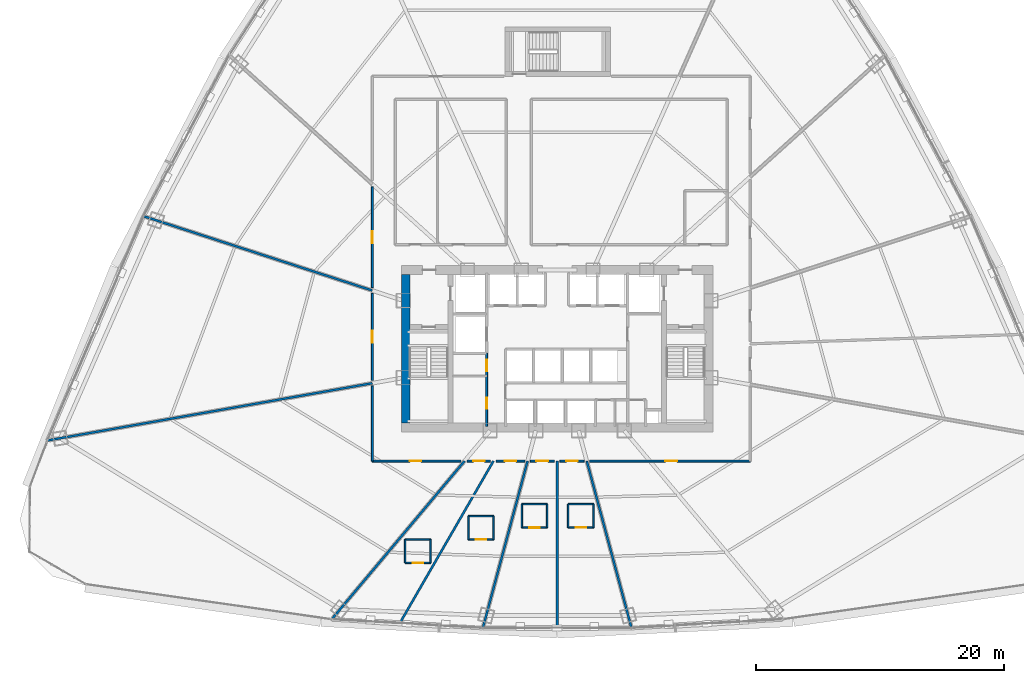
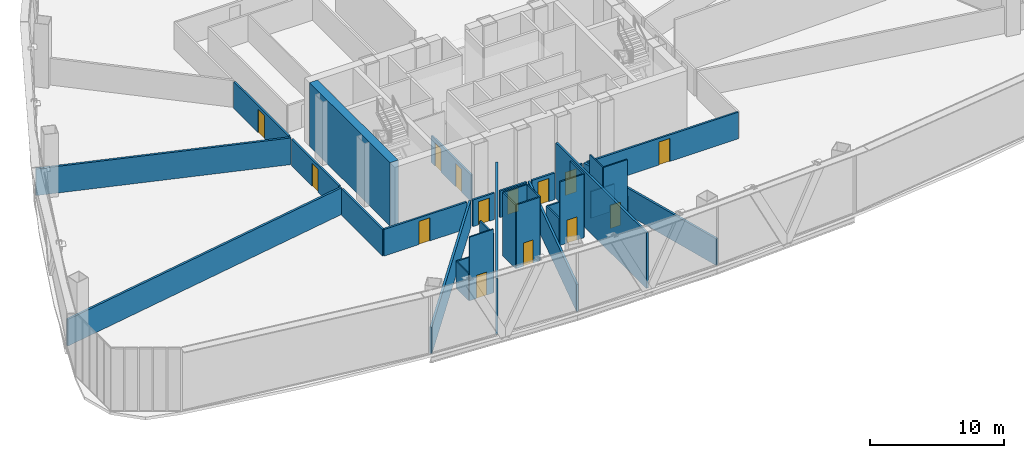
# One storey, part 33 of 41: 34 walls, 14 doors, 14 openings.
"""IFC4 building model written with IfcOpenShell, lengths in metres."""

import ifcopenshell
import ifcopenshell.guid

model = None  # the IFC model being written
_history = None  # IfcOwnerHistory: only IFC2X3 demands one
_inside = {}  # id of a spatial element -> (the spatial element, [elements in it])
_under = {}  # id of a project, library or spatial element -> (it, [spatial elements below it])
_declared = {}  # id of a project -> (the project, [libraries it declares])
_typed = {}  # id of a type object -> (the type object, [elements of that type])
_made_of = {}  # id of a material, layer set ... -> (it, [elements and type objects made of it])


def new_model(schema):
    """Start an empty IFC model of exactly this schema.

    Asked for "IFC4X3", IfcOpenShell would pick the latest addendum, in which some entities
    have other attributes; the version numbers below select the first issue.
    IFC2X3 requires an IfcOwnerHistory on every rooted entity: one is made here for all.
    """
    global model, _history
    if schema == "IFC4X3":
        model = ifcopenshell.file(schema_version=(4, 3, 0, 0))
    else:
        model = ifcopenshell.file(schema=schema)
    _inside.clear()
    _under.clear()
    _declared.clear()
    _typed.clear()
    _made_of.clear()
    _history = None
    if model.schema == "IFC2X3":
        org = make("IfcOrganization", Name="unknown")
        user = make(
            "IfcPersonAndOrganization",
            ThePerson=make("IfcPerson", FamilyName="unknown"),
            TheOrganization=org,
        )
        app = make(
            "IfcApplication",
            ApplicationDeveloper=org,
            Version="unknown",
            ApplicationFullName="unknown",
            ApplicationIdentifier="unknown",
        )
        _history = make(
            "IfcOwnerHistory",
            OwningUser=user,
            OwningApplication=app,
            ChangeAction="ADDED",
            CreationDate=0,
        )
    return model


def make(cls, **values):
    """One entity of the class cls with the attributes given. An attribute that is None is left unset."""
    return model.create_entity(
        cls, **{name: value for name, value in values.items() if value is not None}
    )


def rooted(cls, **values):
    """An entity with a GlobalId (a new one), such as an element, a storey or a relation."""
    return make(cls, GlobalId=ifcopenshell.guid.new(), OwnerHistory=_history, **values)


def si_unit(unit_type, name, prefix=None):
    """IfcSIUnit, for example si_unit("LENGTHUNIT", "METRE", prefix="MILLI")."""
    return make("IfcSIUnit", UnitType=unit_type, Prefix=prefix, Name=name)


def assignment(units):
    """IfcUnitAssignment: the units of a project."""
    return None if units is None else make("IfcUnitAssignment", Units=units)


def point(xyz):
    """IfcCartesianPoint."""
    return None if xyz is None else make("IfcCartesianPoint", Coordinates=xyz)


def direction(xyz):
    """IfcDirection."""
    return None if xyz is None else make("IfcDirection", DirectionRatios=xyz)


def frame(location, z_axis=None, x_axis=None):
    """IfcAxis2Placement3D, a coordinate frame: its origin and axes. An axis left out is left unset."""
    return make(
        "IfcAxis2Placement3D",
        Location=point(location),
        Axis=direction(z_axis),
        RefDirection=direction(x_axis),
    )


def frame_2d(location, x_axis=None):
    """IfcAxis2Placement2D, a coordinate frame in the plane: its origin and x axis."""
    return make(
        "IfcAxis2Placement2D", Location=point(location), RefDirection=direction(x_axis)
    )


def origin():
    """The frame at (0, 0, 0) with its axes left unset."""
    return frame((0.0, 0.0, 0.0))


def origin_with_axes():
    """The frame at (0, 0, 0) with the z axis (0, 0, 1) and the x axis (1, 0, 0) written out."""
    return frame((0.0, 0.0, 0.0), z_axis=(0.0, 0.0, 1.0), x_axis=(1.0, 0.0, 0.0))


def place(relative_to, where):
    """IfcLocalPlacement: puts the frame where relative to a parent placement (None: the world)."""
    return make(
        "IfcLocalPlacement", PlacementRelTo=relative_to, RelativePlacement=where
    )


def context(
    kind, dimensions, precision=None, world=None, true_north=None, identifier=None
):
    """IfcGeometricRepresentationContext, for example the 3D "Model" context."""
    return make(
        "IfcGeometricRepresentationContext",
        ContextIdentifier=identifier,
        ContextType=kind,
        CoordinateSpaceDimension=dimensions,
        Precision=precision,
        WorldCoordinateSystem=world,
        TrueNorth=true_north,
    )


def subcontext(parent, identifier, kind, view, scale=None):
    """IfcGeometricRepresentationSubContext, for example "Body" below "Model"."""
    return make(
        "IfcGeometricRepresentationSubContext",
        ContextIdentifier=identifier,
        ContextType=kind,
        ParentContext=parent,
        TargetScale=scale,
        TargetView=view,
    )


def project(units=None, contexts=None):
    """IfcProject with its units and contexts."""
    return rooted(
        "IfcProject",
        Name="project",
        RepresentationContexts=contexts,
        UnitsInContext=assignment(units),
    )


def spatial(cls, under=None, at=None, **own):
    """A site, building, storey or space (cls), placed at a placement, below another one or the project."""
    s = rooted(cls, ObjectPlacement=at, **own)
    if under is not None:
        _under.setdefault(under.id(), (under, []))[1].append(s)
    return s


def profile(cls, at=None, kind="AREA", **sizes):
    """A parametric profile (cls). Its sizes go by their IFC names, for example OverallWidth=200.0."""
    return make(cls, ProfileType=kind, Position=at, **sizes)


def rectangle(**sizes):
    """IfcRectangleProfileDef."""
    return profile("IfcRectangleProfileDef", **sizes)


def extrude(swept, where, along, depth):
    """IfcExtrudedAreaSolid: the profile swept, set in the frame where, extruded along a direction by depth."""
    return make(
        "IfcExtrudedAreaSolid",
        SweptArea=swept,
        Position=where,
        ExtrudedDirection=direction(along),
        Depth=depth,
    )


def shape(context_of_items, identifier, shape_type, items):
    """IfcShapeRepresentation: the items that make up one representation, for example the "Body"."""
    return make(
        "IfcShapeRepresentation",
        ContextOfItems=context_of_items,
        RepresentationIdentifier=identifier,
        RepresentationType=shape_type,
        Items=items,
    )


def source(mapping_origin, context_of_items, identifier, shape_type, items):
    """IfcRepresentationMap: a shape defined once, which mapped items show again and again."""
    return make(
        "IfcRepresentationMap",
        MappingOrigin=mapping_origin,
        MappedRepresentation=shape(context_of_items, identifier, shape_type, items),
    )


def transform(
    local_origin,
    x_axis=None,
    y_axis=None,
    z_axis=None,
    scale=None,
    scale2=None,
    scale3=None,
    uniform=True,
):
    """IfcCartesianTransformationOperator3D, or its non-uniform kind. x_axis, y_axis, z_axis: its Axis1, 2, 3."""
    if uniform:
        return make(
            "IfcCartesianTransformationOperator3D",
            Axis1=direction(x_axis),
            Axis2=direction(y_axis),
            LocalOrigin=point(local_origin),
            Scale=scale,
            Axis3=direction(z_axis),
        )
    return make(
        "IfcCartesianTransformationOperator3DnonUniform",
        Axis1=direction(x_axis),
        Axis2=direction(y_axis),
        LocalOrigin=point(local_origin),
        Scale=scale,
        Axis3=direction(z_axis),
        Scale2=scale2,
        Scale3=scale3,
    )


def mapped(mapping_source, mapping_target):
    """IfcMappedItem: shows the shape of a source again, moved by a transform."""
    return make(
        "IfcMappedItem", MappingSource=mapping_source, MappingTarget=mapping_target
    )


def material(Name=None, Category=None):
    """IfcMaterial."""
    return make("IfcMaterial", Name=Name, Category=Category)


def layer(
    of_material, thickness, ventilated=None, Name=None, Category=None, Priority=None
):
    """IfcMaterialLayer: one layer of a wall or slab, of a material (None: an air gap)."""
    return make(
        "IfcMaterialLayer",
        Material=of_material,
        LayerThickness=thickness,
        IsVentilated=ventilated,
        Name=Name,
        Category=Category,
        Priority=Priority,
    )


def layer_set(layers, Name=None):
    """IfcMaterialLayerSet."""
    return make("IfcMaterialLayerSet", MaterialLayers=layers, LayerSetName=Name)


def made_of(thing, what):
    """Note that an element or type object is made of a material, layer set ...; save() writes the relation."""
    if what is not None:
        _made_of.setdefault(what.id(), (what, []))[1].append(thing)
    return thing


def type_object(cls, material=None, **own):
    """A type object (cls), such as IfcWallType, which elements share."""
    return made_of(rooted(cls, **own), material)


def element(
    cls,
    number,
    at=None,
    inside=None,
    cuts=None,
    type_object=None,
    material=None,
    context=None,
    identifier="Body",
    shape_type=None,
    held_by="IfcProductDefinitionShape",
    body=None,
    shapes=None,
    **own,
):
    """One element of the class cls, such as IfcWall. Its Tag is "e" and its number.

    at: its placement. inside: the storey or other place that contains it. cuts: it is an
    opening in that element (IfcRelVoidsElement). A single representation is given by context,
    identifier, shape_type and body (its items); several are given by shapes. held_by: the class
    of the entity that holds the representations. save() writes the other relations.
    """
    e = rooted(cls, Tag="e%d" % number, ObjectPlacement=at, **own)
    if body is not None:
        shapes = [shape(context, identifier, shape_type, body)]
    if shapes is not None:
        e.Representation = make(held_by, Representations=shapes)
    if inside is not None:
        _inside.setdefault(inside.id(), (inside, []))[1].append(e)
    if cuts is not None:
        rooted(
            "IfcRelVoidsElement", RelatingBuildingElement=cuts, RelatedOpeningElement=e
        )
    if type_object is not None:
        _typed.setdefault(type_object.id(), (type_object, []))[1].append(e)
    return made_of(e, material)


def fill(opening, filler):
    """IfcRelFillsElement: the door or window that sits in an opening."""
    return rooted(
        "IfcRelFillsElement",
        RelatingOpeningElement=opening,
        RelatedBuildingElement=filler,
    )


def aggregate(whole, parts):
    """IfcRelAggregates: a whole, such as a stair, and the parts it consists of."""
    return rooted("IfcRelAggregates", RelatingObject=whole, RelatedObjects=parts)


def save(model, path):
    """Write the relations noted so far, then the file.

    IfcRelAggregates (storeys below a building ...), IfcRelContainedInSpatialStructure (elements
    in a storey), IfcRelDefinesByType, IfcRelAssociatesMaterial and IfcRelDeclares: one each for
    every whole, place, type object, material and project.
    """
    for whole, parts in _under.values():
        aggregate(whole, parts)
    for where, things in _inside.values():
        rooted(
            "IfcRelContainedInSpatialStructure",
            RelatedElements=things,
            RelatingStructure=where,
        )
    for kind, things in _typed.values():
        rooted("IfcRelDefinesByType", RelatedObjects=things, RelatingType=kind)
    for what, things in _made_of.values():
        rooted("IfcRelAssociatesMaterial", RelatedObjects=things, RelatingMaterial=what)
    for by, libraries in _declared.values():
        rooted("IfcRelDeclares", RelatingContext=by, RelatedDefinitions=libraries)
    model.write(path)


model = new_model("IFC4")

# Units and contexts
model_context = context("Model", 3, precision=1e-05, world=origin(), true_north=direction((0.0, 1.0)))
body_context = subcontext(model_context, "Body", "Model", "MODEL_VIEW")
ifc_project = project(units=[si_unit("LENGTHUNIT", "METRE"), si_unit("AREAUNIT", "SQUARE_METRE"), si_unit("VOLUMEUNIT", "CUBIC_METRE"), si_unit("PLANEANGLEUNIT", "RADIAN"), si_unit("MASSUNIT", "GRAM", prefix="KILO"), si_unit("THERMODYNAMICTEMPERATUREUNIT", "KELVIN"), si_unit("POWERUNIT", "WATT")], contexts=[model_context])

# Site, building, storey
site_placement = place(None, origin())
site = spatial("IfcSite", under=ifc_project, at=site_placement, CompositionType="ELEMENT")
building_placement = place(site_placement, origin())
building = spatial("IfcBuilding", under=site, at=building_placement, Name="Yunzhuo Pagoda Commons", CompositionType="ELEMENT")
storey_placement = place(building_placement, frame((0.0, 0.0, 70.330078125)))
storey = spatial("IfcBuildingStorey", under=building, at=storey_placement, Name="L18", CompositionType="ELEMENT", Elevation=70.330078125)

# Wall
ifc_material_1 = material(Name="Concrete C60", Category="concrete")
ifc_layer_1 = layer(ifc_material_1, 0.699951171875)
ifc_layer_set_1 = layer_set([ifc_layer_1], Name="Concrete C60")
wall_type_1 = type_object("IfcWallType", Name="W-C01 Lower Core Shear Wall 700", PredefinedType="SHEAR", material=ifc_layer_set_1)
wall_1_placement = place(storey_placement, frame((35.800048828125, 27.85009765625, 0.0), z_axis=(0.0, 0.0, 1.0), x_axis=(0.0, 1.0, 0.0)))
element("IfcWall", 1, at=wall_1_placement, inside=storey, type_object=wall_type_1, Name="L18 core shear wall W", PredefinedType="SHEAR", context=body_context, shape_type="SweptSolid", body=[
    extrude(rectangle(XDim=12.0, YDim=0.699951171875, at=frame_2d((6.0, 0.0))), origin(), (0.0, 0.0, 1.0), 5.77001953125),
])

# Wall, openings, doors
ifc_material_2 = material(Name="Gypsum plasterboard on acoustic stud")
ifc_layer_2 = layer(ifc_material_2, 0.159912109375)
ifc_layer_set_2 = layer_set([ifc_layer_2], Name="Gypsum plasterboard on acoustic stud")
wall_type_2 = type_object("IfcWallType", Name="W-COR1 Tower Rated Corridor Wall 160", PredefinedType="PARTITIONING", material=ifc_layer_set_2)
wall_2_placement = place(storey_placement, frame((42.320068359375, 27.60009765625, 0.0), z_axis=(0.0, 0.0, 1.0), x_axis=(0.0, 1.0, 0.0)))
wall_2 = element("IfcWall", 2, at=wall_2_placement, inside=storey, type_object=wall_type_2, Name="L18 interior wall IW-L18-CSWE", PredefinedType="PARTITIONING", context=body_context, shape_type="SweptSolid", body=[
    extrude(rectangle(XDim=5.89990234375, YDim=0.159912109375, at=frame_2d((2.949951171875, 0.0))), origin(), (0.0, 0.0, 1.0), 2.419921875),
])
opening_1_placement = place(wall_2_placement, frame((1.39990234375, 0.0, 0.0)))
opening_1 = element("IfcOpeningElement", 3, at=opening_1_placement, cuts=wall_2, Name="Opening D-03", PredefinedType="OPENING", context=body_context, shape_type="SweptSolid", body=[
    extrude(rectangle(XDim=0.89990234375, YDim=2.10009765625, at=frame_2d((0.449951171875, 1.050048828125))), frame((0.0, 0.08984375, 0.0), z_axis=(0.0, -1.0, 0.0), x_axis=(1.0, 0.0, 0.0)), (0.0, 0.0, 1.0), 0.179931640625),
])
opening_2_placement = place(wall_2_placement, frame((4.449951171875, 0.0, 0.0)))
opening_2 = element("IfcOpeningElement", 4, at=opening_2_placement, cuts=wall_2, Name="Opening D-03", PredefinedType="OPENING", context=body_context, shape_type="SweptSolid", body=[
    extrude(rectangle(XDim=0.89990234375, YDim=2.10009765625, at=frame_2d((0.449951171875, 1.050048828125))), frame((0.0, 0.08984375, 0.0), z_axis=(0.0, -1.0, 0.0), x_axis=(1.0, 0.0, 0.0)), (0.0, 0.0, 1.0), 0.179931640625),
])
ifc_material_3 = material(Name="Galvanized fire-resisting metal leaf")
door_type_1 = type_object("IfcDoorType", Name="D-03 Core Service Fire Door 900x2100", OperationType="NOTDEFINED", PredefinedType="DOOR", material=ifc_material_3)
shared_shape_1 = source(origin(), body_context, "Body", "SweptSolid", [
    extrude(rectangle(XDim=0.89990234375, YDim=2.10009765625, at=frame_2d((0.449951171875, 1.050048828125))), frame((0.0, 0.02490234375, 0.0), z_axis=(0.0, -1.0, 0.0), x_axis=(1.0, 0.0, 0.0)), (0.0, 0.0, 1.0), 0.050048828125),
])
door_1_placement = place(opening_1_placement, origin_with_axes())
door_1 = element("IfcDoor", 5, at=door_1_placement, inside=storey, type_object=door_type_1, Name="L18 service store door", OperationType="SINGLE_SWING_LEFT", OverallHeight=2.10009765625, OverallWidth=0.89990234375, PredefinedType="DOOR", context=body_context, shape_type="MappedRepresentation", body=[
    mapped(shared_shape_1, transform((0.0, 0.0, 0.0), scale=1.0)),
])
fill(opening_1, door_1)
door_2_placement = place(opening_2_placement, origin_with_axes())
door_2 = element("IfcDoor", 6, at=door_2_placement, inside=storey, type_object=door_type_1, Name="L18 switch closet door", OperationType="SINGLE_SWING_RIGHT", OverallHeight=2.10009765625, OverallWidth=0.89990234375, PredefinedType="DOOR", context=body_context, shape_type="MappedRepresentation", body=[
    mapped(shared_shape_1, transform((0.0, 0.0, 0.0), scale=1.0)),
])
fill(opening_2, door_2)

# Wall
wall_3_placement = place(storey_placement, frame((33.10009765625, 24.800048828125, 0.0), z_axis=(0.0, 0.0, 1.0), x_axis=(0.0, 1.0, 0.0)))
element("IfcWall", 7, at=wall_3_placement, inside=storey, type_object=wall_type_2, Name="L18 interior wall IW-L18-CWL01", PredefinedType="PARTITIONING", context=body_context, shape_type="SweptSolid", body=[
    extrude(rectangle(XDim=6.04931640625, YDim=0.159912109375, at=frame_2d((3.024658203125, 0.0))), origin(), (0.0, 0.0, 1.0), 2.419921875),
])

# Wall, opening, door
wall_4_placement = place(storey_placement, frame((33.10009765625, 31.29248046875, 0.0), z_axis=(0.0, 0.0, 1.0), x_axis=(0.0, 1.0, 0.0)))
wall_4 = element("IfcWall", 8, at=wall_4_placement, inside=storey, type_object=wall_type_2, Name="L18 interior wall IW-L18-CWL02", PredefinedType="PARTITIONING", context=body_context, shape_type="SweptSolid", body=[
    extrude(rectangle(XDim=7.029052734375, YDim=0.159912109375, at=frame_2d((3.5146484375, 0.0))), origin(), (0.0, 0.0, 1.0), 2.419921875),
])
opening_3_placement = place(wall_4_placement, frame((3.03955078125, 0.0, 0.0)))
opening_3 = element("IfcOpeningElement", 9, at=opening_3_placement, cuts=wall_4, Name="Opening D-06", PredefinedType="OPENING", context=body_context, shape_type="SweptSolid", body=[
    extrude(rectangle(XDim=0.949951171875, YDim=2.10009765625, at=frame_2d((0.47509765625, 1.050048828125))), frame((0.0, 0.08984375, 0.0), z_axis=(0.0, -1.0, 0.0), x_axis=(1.0, 0.0, 0.0)), (0.0, 0.0, 1.0), 0.179931640625),
])
door_type_2 = type_object("IfcDoorType", Name="D-06 Co-Living Suite Entrance Fire Door 950x2100", OperationType="NOTDEFINED", PredefinedType="DOOR", material=ifc_material_3)
shared_shape_2 = source(origin(), body_context, "Body", "SweptSolid", [
    extrude(rectangle(XDim=0.949951171875, YDim=2.10009765625, at=frame_2d((0.47509765625, 1.050048828125))), frame((0.0, 0.02490234375, 0.0), z_axis=(0.0, -1.0, 0.0), x_axis=(1.0, 0.0, 0.0)), (0.0, 0.0, 1.0), 0.050048828125),
])
door_3_placement = place(opening_3_placement, origin_with_axes())
door_3 = element("IfcDoor", 10, at=door_3_placement, inside=storey, type_object=door_type_2, Name="L18 unit 06 entrance door", OperationType="SINGLE_SWING_LEFT", OverallHeight=2.10009765625, OverallWidth=0.949951171875, PredefinedType="DOOR", context=body_context, shape_type="MappedRepresentation", body=[
    mapped(shared_shape_2, transform((0.0, 0.0, 0.0), scale=1.0)),
])
fill(opening_3, door_3)

wall_5_placement = place(storey_placement, frame((33.10009765625, 38.772705078125, 0.0), z_axis=(0.0, 0.0, 1.0), x_axis=(0.0, 1.0, 0.0)))
wall_5 = element("IfcWall", 11, at=wall_5_placement, inside=storey, type_object=wall_type_2, Name="L18 interior wall IW-L18-CWL03", PredefinedType="PARTITIONING", context=body_context, shape_type="SweptSolid", body=[
    extrude(rectangle(XDim=8.12353515625, YDim=0.159912109375, at=frame_2d((4.061767578125, 0.0))), origin(), (0.0, 0.0, 1.0), 2.419921875),
])
opening_4_placement = place(wall_5_placement, frame((3.5810546875, 0.0, 0.0)))
opening_4 = element("IfcOpeningElement", 12, at=opening_4_placement, cuts=wall_5, Name="Opening D-06", PredefinedType="OPENING", context=body_context, shape_type="SweptSolid", body=[
    extrude(rectangle(XDim=0.949951171875, YDim=2.10009765625, at=frame_2d((0.47509765625, 1.050048828125))), frame((0.0, 0.08984375, 0.0), z_axis=(0.0, -1.0, 0.0), x_axis=(1.0, 0.0, 0.0)), (0.0, 0.0, 1.0), 0.179931640625),
])
door_4_placement = place(opening_4_placement, origin_with_axes())
door_4 = element("IfcDoor", 13, at=door_4_placement, inside=storey, type_object=door_type_2, Name="L18 unit 05 entrance door", OperationType="SINGLE_SWING_RIGHT", OverallHeight=2.10009765625, OverallWidth=0.949951171875, PredefinedType="DOOR", context=body_context, shape_type="MappedRepresentation", body=[
    mapped(shared_shape_2, transform((0.0, 0.0, 0.0), scale=1.0)),
])
fill(opening_4, door_4)

wall_6_placement = place(storey_placement, frame((63.550048828125, 24.800048828125, 0.0), z_axis=(0.0, 0.0, 1.0), x_axis=(-1.0, 0.0, 0.0)))
wall_6 = element("IfcWall", 14, at=wall_6_placement, inside=storey, type_object=wall_type_2, Name="L18 interior wall IW-L18-CWL13", PredefinedType="PARTITIONING", context=body_context, shape_type="SweptSolid", body=[
    extrude(rectangle(XDim=12.9375, YDim=0.159912109375, at=frame_2d((6.46875, 0.0))), origin(), (0.0, 0.0, 1.0), 2.419921875),
])
opening_5_placement = place(wall_6_placement, frame((5.877685546875, 0.0, 0.0)))
opening_5 = element("IfcOpeningElement", 15, at=opening_5_placement, cuts=wall_6, Name="Opening D-06", PredefinedType="OPENING", context=body_context, shape_type="SweptSolid", body=[
    extrude(rectangle(XDim=0.949951171875, YDim=2.10009765625, at=frame_2d((0.47509765625, 1.050048828125))), frame((0.0, 0.08984375, 0.0), z_axis=(0.0, -1.0, 0.0), x_axis=(1.0, 0.0, 0.0)), (0.0, 0.0, 1.0), 0.179931640625),
])
door_5_placement = place(opening_5_placement, origin_with_axes())
door_5 = element("IfcDoor", 16, at=door_5_placement, inside=storey, type_object=door_type_2, Name="L18 Resident Co-Living Commons Hall door", OperationType="SINGLE_SWING_LEFT", OverallHeight=2.10009765625, OverallWidth=0.949951171875, PredefinedType="DOOR", context=body_context, shape_type="MappedRepresentation", body=[
    mapped(shared_shape_2, transform((0.0, 0.0, 0.0), scale=1.0)),
])
fill(opening_5, door_5)

wall_7_placement = place(storey_placement, frame((50.164794921875, 24.800048828125, 0.0), z_axis=(0.0, 0.0, 1.0), x_axis=(-1.0, 0.0, 0.0)))
wall_7 = element("IfcWall", 17, at=wall_7_placement, inside=storey, type_object=wall_type_2, Name="L18 interior wall IW-L18-CWL14", PredefinedType="PARTITIONING", context=body_context, shape_type="SweptSolid", body=[
    extrude(rectangle(XDim=1.94482421875, YDim=0.159912109375, at=frame_2d((0.972412109375, 0.0))), origin(), (0.0, 0.0, 1.0), 2.419921875),
])
opening_6_placement = place(wall_7_placement, frame((0.49755859375, 0.0, 0.0)))
opening_6 = element("IfcOpeningElement", 18, at=opening_6_placement, cuts=wall_7, Name="Opening D-06", PredefinedType="OPENING", context=body_context, shape_type="SweptSolid", body=[
    extrude(rectangle(XDim=0.949951171875, YDim=2.10009765625, at=frame_2d((0.47509765625, 1.050048828125))), frame((0.0, 0.08984375, 0.0), z_axis=(0.0, -1.0, 0.0), x_axis=(1.0, 0.0, 0.0)), (0.0, 0.0, 1.0), 0.179931640625),
])
door_6_placement = place(opening_6_placement, origin_with_axes())
door_6 = element("IfcDoor", 19, at=door_6_placement, inside=storey, type_object=door_type_2, Name="L18 unit 11 entrance door", OperationType="SINGLE_SWING_RIGHT", OverallHeight=2.10009765625, OverallWidth=0.949951171875, PredefinedType="DOOR", context=body_context, shape_type="MappedRepresentation", body=[
    mapped(shared_shape_2, transform((0.0, 0.0, 0.0), scale=1.0)),
])
fill(opening_6, door_6)

wall_8_placement = place(storey_placement, frame((47.780029296875, 24.800048828125, 0.0), z_axis=(0.0, 0.0, 1.0), x_axis=(-1.0, 0.0, 0.0)))
wall_8 = element("IfcWall", 20, at=wall_8_placement, inside=storey, type_object=wall_type_2, Name="L18 interior wall IW-L18-CWL15", PredefinedType="PARTITIONING", context=body_context, shape_type="SweptSolid", body=[
    extrude(rectangle(XDim=1.94482421875, YDim=0.159912109375, at=frame_2d((0.972412109375, 0.0))), origin(), (0.0, 0.0, 1.0), 2.419921875),
])
opening_7_placement = place(wall_8_placement, frame((0.497314453125, 0.0, 0.0)))
opening_7 = element("IfcOpeningElement", 21, at=opening_7_placement, cuts=wall_8, Name="Opening D-06", PredefinedType="OPENING", context=body_context, shape_type="SweptSolid", body=[
    extrude(rectangle(XDim=0.949951171875, YDim=2.10009765625, at=frame_2d((0.47509765625, 1.050048828125))), frame((0.0, 0.08984375, 0.0), z_axis=(0.0, -1.0, 0.0), x_axis=(1.0, 0.0, 0.0)), (0.0, 0.0, 1.0), 0.179931640625),
])
door_7_placement = place(opening_7_placement, origin_with_axes())
door_7 = element("IfcDoor", 22, at=door_7_placement, inside=storey, type_object=door_type_2, Name="L18 unit 10 entrance door", OperationType="SINGLE_SWING_LEFT", OverallHeight=2.10009765625, OverallWidth=0.949951171875, PredefinedType="DOOR", context=body_context, shape_type="MappedRepresentation", body=[
    mapped(shared_shape_2, transform((0.0, 0.0, 0.0), scale=1.0)),
])
fill(opening_7, door_7)

wall_9_placement = place(storey_placement, frame((45.387451171875, 24.800048828125, 0.0), z_axis=(0.0, 0.0, 1.0), x_axis=(-1.0, 0.0, 0.0)))
wall_9 = element("IfcWall", 23, at=wall_9_placement, inside=storey, type_object=wall_type_2, Name="L18 interior wall IW-L18-CWL16", PredefinedType="PARTITIONING", context=body_context, shape_type="SweptSolid", body=[
    extrude(rectangle(XDim=2.30615234375, YDim=0.159912109375, at=frame_2d((1.153076171875, 0.0))), origin(), (0.0, 0.0, 1.0), 2.419921875),
])
opening_8_placement = place(wall_9_placement, frame((0.674072265625, 0.0, 0.0)))
opening_8 = element("IfcOpeningElement", 24, at=opening_8_placement, cuts=wall_9, Name="Opening D-06", PredefinedType="OPENING", context=body_context, shape_type="SweptSolid", body=[
    extrude(rectangle(XDim=0.949951171875, YDim=2.10009765625, at=frame_2d((0.47509765625, 1.050048828125))), frame((0.0, 0.08984375, 0.0), z_axis=(0.0, -1.0, 0.0), x_axis=(1.0, 0.0, 0.0)), (0.0, 0.0, 1.0), 0.179931640625),
])
door_8_placement = place(opening_8_placement, origin_with_axes())
door_8 = element("IfcDoor", 25, at=door_8_placement, inside=storey, type_object=door_type_2, Name="L18 unit 09 entrance door", OperationType="SINGLE_SWING_RIGHT", OverallHeight=2.10009765625, OverallWidth=0.949951171875, PredefinedType="DOOR", context=body_context, shape_type="MappedRepresentation", body=[
    mapped(shared_shape_2, transform((0.0, 0.0, 0.0), scale=1.0)),
])
fill(opening_8, door_8)

wall_10_placement = place(storey_placement, frame((42.607666015625, 24.800048828125, 0.0), z_axis=(0.0, 0.0, 1.0), x_axis=(-1.0, 0.0, 0.0)))
wall_10 = element("IfcWall", 26, at=wall_10_placement, inside=storey, type_object=wall_type_2, Name="L18 interior wall IW-L18-CWL17", PredefinedType="PARTITIONING", context=body_context, shape_type="SweptSolid", body=[
    extrude(rectangle(XDim=1.855712890625, YDim=0.159912109375, at=frame_2d((0.927734375, 0.0))), origin(), (0.0, 0.0, 1.0), 2.419921875),
])
opening_9_placement = place(wall_10_placement, frame((0.435791015625, 0.0, 0.0)))
opening_9 = element("IfcOpeningElement", 27, at=opening_9_placement, cuts=wall_10, Name="Opening D-06", PredefinedType="OPENING", context=body_context, shape_type="SweptSolid", body=[
    extrude(rectangle(XDim=0.949951171875, YDim=2.10009765625, at=frame_2d((0.47509765625, 1.050048828125))), frame((0.0, 0.08984375, 0.0), z_axis=(0.0, -1.0, 0.0), x_axis=(1.0, 0.0, 0.0)), (0.0, 0.0, 1.0), 0.179931640625),
])
door_9_placement = place(opening_9_placement, origin_with_axes())
door_9 = element("IfcDoor", 28, at=door_9_placement, inside=storey, type_object=door_type_2, Name="L18 unit 08 entrance door", OperationType="SINGLE_SWING_LEFT", OverallHeight=2.10009765625, OverallWidth=0.949951171875, PredefinedType="DOOR", context=body_context, shape_type="MappedRepresentation", body=[
    mapped(shared_shape_2, transform((0.0, 0.0, 0.0), scale=1.0)),
])
fill(opening_9, door_9)

wall_11_placement = place(storey_placement, frame((40.244873046875, 24.800048828125, 0.0), z_axis=(0.0, 0.0, 1.0), x_axis=(-1.0, 0.0, 0.0)))
wall_11 = element("IfcWall", 29, at=wall_11_placement, inside=storey, type_object=wall_type_2, Name="L18 interior wall IW-L18-CWL18", PredefinedType="PARTITIONING", context=body_context, shape_type="SweptSolid", body=[
    extrude(rectangle(XDim=7.144775390625, YDim=0.159912109375, at=frame_2d((3.572265625, 0.0))), origin(), (0.0, 0.0, 1.0), 2.419921875),
])
opening_10_placement = place(wall_11_placement, frame((3.183837890625, 0.0, 0.0)))
opening_10 = element("IfcOpeningElement", 30, at=opening_10_placement, cuts=wall_11, Name="Opening D-06", PredefinedType="OPENING", context=body_context, shape_type="SweptSolid", body=[
    extrude(rectangle(XDim=0.949951171875, YDim=2.10009765625, at=frame_2d((0.47509765625, 1.050048828125))), frame((0.0, 0.08984375, 0.0), z_axis=(0.0, -1.0, 0.0), x_axis=(1.0, 0.0, 0.0)), (0.0, 0.0, 1.0), 0.179931640625),
])
door_10_placement = place(opening_10_placement, origin_with_axes())
door_10 = element("IfcDoor", 31, at=door_10_placement, inside=storey, type_object=door_type_2, Name="L18 unit 07 entrance door", OperationType="SINGLE_SWING_RIGHT", OverallHeight=2.10009765625, OverallWidth=0.949951171875, PredefinedType="DOOR", context=body_context, shape_type="MappedRepresentation", body=[
    mapped(shared_shape_2, transform((0.0, 0.0, 0.0), scale=1.0)),
])
fill(opening_10, door_10)

ifc_layer_3 = layer(ifc_material_2, 0.1201171875)
ifc_layer_set_3 = layer_set([ifc_layer_3], Name="Gypsum plasterboard on acoustic stud")
wall_type_3 = type_object("IfcWallType", Name="W-PRT1 Suite & Bathroom Partition 120", PredefinedType="PARTITIONING", material=ifc_layer_set_3)
wall_12_placement = place(storey_placement, frame((35.743896484375, 16.591064453125, 0.0), z_axis=(0.0, 0.0, 1.0), x_axis=(1.0, 0.0, 0.0)))
wall_12 = element("IfcWall", 32, at=wall_12_placement, inside=storey, type_object=wall_type_3, Name="L18 interior wall IW-L18-B08S", PredefinedType="PARTITIONING", context=body_context, shape_type="SweptSolid", body=[
    extrude(rectangle(XDim=2.050048828125, YDim=0.1201171875, at=frame_2d((1.02490234375, 0.0))), origin(), (0.0, 0.0, 1.0), 5.77001953125),
])
opening_11_placement = place(wall_12_placement, frame((0.60009765625, 0.0, 0.0)))
opening_11 = element("IfcOpeningElement", 33, at=opening_11_placement, cuts=wall_12, Name="Opening D-05", PredefinedType="OPENING", context=body_context, shape_type="SweptSolid", body=[
    extrude(rectangle(XDim=0.85009765625, YDim=2.10009765625, at=frame_2d((0.425048828125, 1.050048828125))), frame((0.0, 0.070068359375, 0.0), z_axis=(0.0, -1.0, 0.0), x_axis=(1.0, 0.0, 0.0)), (0.0, 0.0, 1.0), 0.14013671875),
])
ifc_material_4 = material(Name="Powder-coated aluminium and timber acoustic leaf", Category="wood")
door_type_3 = type_object("IfcDoorType", Name="D-05 En-Suite Bathroom Door 850x2100", OperationType="NOTDEFINED", PredefinedType="DOOR", material=ifc_material_4)
shared_shape_3 = source(origin(), body_context, "Body", "SweptSolid", [
    extrude(rectangle(XDim=0.85009765625, YDim=2.10009765625, at=frame_2d((0.425048828125, 1.050048828125))), frame((0.0, 0.02490234375, 0.0), z_axis=(0.0, -1.0, 0.0), x_axis=(1.0, 0.0, 0.0)), (0.0, 0.0, 1.0), 0.050048828125),
])
door_11_placement = place(opening_11_placement, frame((0.85009765625, 0.0, 0.0), z_axis=(0.0, 0.0, 1.0), x_axis=(-1.0, 0.0, 0.0)))
door_11 = element("IfcDoor", 34, at=door_11_placement, inside=storey, type_object=door_type_3, Name="L18 unit 08 bathroom door", OperationType="SINGLE_SWING_LEFT", OverallHeight=2.10009765625, OverallWidth=0.85009765625, PredefinedType="DOOR", context=body_context, shape_type="MappedRepresentation", body=[
    mapped(shared_shape_3, transform((0.0, 0.0, 0.0), scale=1.0)),
])
fill(opening_11, door_11)

# Walls
wall_13_placement = place(storey_placement, frame((37.7939453125, 16.591064453125, 0.0), z_axis=(0.0, 0.0, 1.0), x_axis=(0.0, 1.0, 0.0)))
element("IfcWall", 35, at=wall_13_placement, inside=storey, type_object=wall_type_3, Name="L18 interior wall IW-L18-B08E", PredefinedType="PARTITIONING", context=body_context, shape_type="SweptSolid", body=[
    extrude(rectangle(XDim=1.89990234375, YDim=0.1201171875, at=frame_2d((0.949951171875, 0.0))), origin(), (0.0, 0.0, 1.0), 5.369873046875),
])
wall_14_placement = place(storey_placement, frame((37.7939453125, 18.490966796875, 0.0), z_axis=(0.0, 0.0, 1.0), x_axis=(-1.0, 0.0, 0.0)))
element("IfcWall", 36, at=wall_14_placement, inside=storey, type_object=wall_type_3, Name="L18 interior wall IW-L18-B08N", PredefinedType="PARTITIONING", context=body_context, shape_type="SweptSolid", body=[
    extrude(rectangle(XDim=2.050048828125, YDim=0.1201171875, at=frame_2d((1.02490234375, 0.0))), origin(), (0.0, 0.0, 1.0), 2.419921875),
])
wall_15_placement = place(storey_placement, frame((35.743896484375, 18.490966796875, 0.0), z_axis=(0.0, 0.0, 1.0), x_axis=(0.0, -1.0, 0.0)))
element("IfcWall", 37, at=wall_15_placement, inside=storey, type_object=wall_type_3, Name="L18 interior wall IW-L18-B08W", PredefinedType="PARTITIONING", context=body_context, shape_type="SweptSolid", body=[
    extrude(rectangle(XDim=1.89990234375, YDim=0.1201171875, at=frame_2d((0.949951171875, 0.0))), origin(), (0.0, 0.0, 1.0), 2.419921875),
])

# Wall, opening, door
wall_16_placement = place(storey_placement, frame((40.8369140625, 18.467041015625, 0.0), z_axis=(0.0, 0.0, 1.0), x_axis=(1.0, 0.0, 0.0)))
wall_16 = element("IfcWall", 38, at=wall_16_placement, inside=storey, type_object=wall_type_3, Name="L18 interior wall IW-L18-B09S", PredefinedType="PARTITIONING", context=body_context, shape_type="SweptSolid", body=[
    extrude(rectangle(XDim=2.050048828125, YDim=0.1201171875, at=frame_2d((1.02490234375, 0.0))), origin(), (0.0, 0.0, 1.0), 5.77001953125),
])
opening_12_placement = place(wall_16_placement, frame((0.60009765625, 0.0, 0.0)))
opening_12 = element("IfcOpeningElement", 39, at=opening_12_placement, cuts=wall_16, Name="Opening D-05", PredefinedType="OPENING", context=body_context, shape_type="SweptSolid", body=[
    extrude(rectangle(XDim=0.85009765625, YDim=2.10009765625, at=frame_2d((0.425048828125, 1.050048828125))), frame((0.0, 0.070068359375, 0.0), z_axis=(0.0, -1.0, 0.0), x_axis=(1.0, 0.0, 0.0)), (0.0, 0.0, 1.0), 0.14013671875),
])
door_12_placement = place(opening_12_placement, frame((0.85009765625, 0.0, 0.0), z_axis=(0.0, 0.0, 1.0), x_axis=(-1.0, 0.0, 0.0)))
door_12 = element("IfcDoor", 40, at=door_12_placement, inside=storey, type_object=door_type_3, Name="L18 unit 09 bathroom door", OperationType="SINGLE_SWING_RIGHT", OverallHeight=2.10009765625, OverallWidth=0.85009765625, PredefinedType="DOOR", context=body_context, shape_type="MappedRepresentation", body=[
    mapped(shared_shape_3, transform((0.0, 0.0, 0.0), scale=1.0)),
])
fill(opening_12, door_12)

# Walls
wall_17_placement = place(storey_placement, frame((42.886962890625, 18.467041015625, 0.0), z_axis=(0.0, 0.0, 1.0), x_axis=(0.0, 1.0, 0.0)))
element("IfcWall", 41, at=wall_17_placement, inside=storey, type_object=wall_type_3, Name="L18 interior wall IW-L18-B09E", PredefinedType="PARTITIONING", context=body_context, shape_type="SweptSolid", body=[
    extrude(rectangle(XDim=1.89990234375, YDim=0.1201171875, at=frame_2d((0.949951171875, 0.0))), origin(), (0.0, 0.0, 1.0), 5.77001953125),
])
wall_18_placement = place(storey_placement, frame((42.886962890625, 20.366943359375, 0.0), z_axis=(0.0, 0.0, 1.0), x_axis=(-1.0, 0.0, 0.0)))
element("IfcWall", 42, at=wall_18_placement, inside=storey, type_object=wall_type_3, Name="L18 interior wall IW-L18-B09N", PredefinedType="PARTITIONING", context=body_context, shape_type="SweptSolid", body=[
    extrude(rectangle(XDim=2.050048828125, YDim=0.1201171875, at=frame_2d((1.02490234375, 0.0))), origin(), (0.0, 0.0, 1.0), 5.77001953125),
])
wall_19_placement = place(storey_placement, frame((40.8369140625, 20.366943359375, 0.0), z_axis=(0.0, 0.0, 1.0), x_axis=(0.0, -1.0, 0.0)))
element("IfcWall", 43, at=wall_19_placement, inside=storey, type_object=wall_type_3, Name="L18 interior wall IW-L18-B09W", PredefinedType="PARTITIONING", context=body_context, shape_type="SweptSolid", body=[
    extrude(rectangle(XDim=1.89990234375, YDim=0.1201171875, at=frame_2d((0.949951171875, 0.0))), origin(), (0.0, 0.0, 1.0), 5.77001953125),
])

# Wall, opening, door
wall_20_placement = place(storey_placement, frame((45.14599609375, 19.425048828125, 0.0), z_axis=(0.0, 0.0, 1.0), x_axis=(1.0, 0.0, 0.0)))
wall_20 = element("IfcWall", 44, at=wall_20_placement, inside=storey, type_object=wall_type_3, Name="L18 interior wall IW-L18-B10S", PredefinedType="PARTITIONING", context=body_context, shape_type="SweptSolid", body=[
    extrude(rectangle(XDim=2.050048828125, YDim=0.1201171875, at=frame_2d((1.02490234375, 0.0))), origin(), (0.0, 0.0, 1.0), 5.77001953125),
])
opening_13_placement = place(wall_20_placement, frame((0.60009765625, 0.0, 0.0)))
opening_13 = element("IfcOpeningElement", 45, at=opening_13_placement, cuts=wall_20, Name="Opening D-05", PredefinedType="OPENING", context=body_context, shape_type="SweptSolid", body=[
    extrude(rectangle(XDim=0.85009765625, YDim=2.10009765625, at=frame_2d((0.425048828125, 1.050048828125))), frame((0.0, 0.070068359375, 0.0), z_axis=(0.0, -1.0, 0.0), x_axis=(1.0, 0.0, 0.0)), (0.0, 0.0, 1.0), 0.14013671875),
])
door_13_placement = place(opening_13_placement, frame((0.85009765625, 0.0, 0.0), z_axis=(0.0, 0.0, 1.0), x_axis=(-1.0, 0.0, 0.0)))
door_13 = element("IfcDoor", 46, at=door_13_placement, inside=storey, type_object=door_type_3, Name="L18 unit 10 bathroom door", OperationType="SINGLE_SWING_LEFT", OverallHeight=2.10009765625, OverallWidth=0.85009765625, PredefinedType="DOOR", context=body_context, shape_type="MappedRepresentation", body=[
    mapped(shared_shape_3, transform((0.0, 0.0, 0.0), scale=1.0)),
])
fill(opening_13, door_13)

# Walls
wall_21_placement = place(storey_placement, frame((47.196044921875, 19.425048828125, 0.0), z_axis=(0.0, 0.0, 1.0), x_axis=(0.0, 1.0, 0.0)))
element("IfcWall", 47, at=wall_21_placement, inside=storey, type_object=wall_type_3, Name="L18 interior wall IW-L18-B10E", PredefinedType="PARTITIONING", context=body_context, shape_type="SweptSolid", body=[
    extrude(rectangle(XDim=1.89990234375, YDim=0.1201171875, at=frame_2d((0.949951171875, 0.0))), origin(), (0.0, 0.0, 1.0), 5.77001953125),
])
wall_22_placement = place(storey_placement, frame((47.196044921875, 21.324951171875, 0.0), z_axis=(0.0, 0.0, 1.0), x_axis=(-1.0, 0.0, 0.0)))
element("IfcWall", 48, at=wall_22_placement, inside=storey, type_object=wall_type_3, Name="L18 interior wall IW-L18-B10N", PredefinedType="PARTITIONING", context=body_context, shape_type="SweptSolid", body=[
    extrude(rectangle(XDim=2.050048828125, YDim=0.1201171875, at=frame_2d((1.02490234375, 0.0))), origin(), (0.0, 0.0, 1.0), 2.419921875),
])
wall_23_placement = place(storey_placement, frame((45.14599609375, 21.324951171875, 0.0), z_axis=(0.0, 0.0, 1.0), x_axis=(0.0, -1.0, 0.0)))
element("IfcWall", 49, at=wall_23_placement, inside=storey, type_object=wall_type_3, Name="L18 interior wall IW-L18-B10W", PredefinedType="PARTITIONING", context=body_context, shape_type="SweptSolid", body=[
    extrude(rectangle(XDim=1.89990234375, YDim=0.1201171875, at=frame_2d((0.949951171875, 0.0))), origin(), (0.0, 0.0, 1.0), 2.419921875),
])

# Wall, opening, door
wall_24_placement = place(storey_placement, frame((48.885009765625, 19.43310546875, 0.0), z_axis=(0.0, 0.0, 1.0), x_axis=(1.0, 0.0, 0.0)))
wall_24 = element("IfcWall", 50, at=wall_24_placement, inside=storey, type_object=wall_type_3, Name="L18 interior wall IW-L18-B11S", PredefinedType="PARTITIONING", context=body_context, shape_type="SweptSolid", body=[
    extrude(rectangle(XDim=2.050048828125, YDim=0.1201171875, at=frame_2d((1.02490234375, 0.0))), origin(), (0.0, 0.0, 1.0), 5.77001953125),
])
opening_14_placement = place(wall_24_placement, frame((0.60009765625, 0.0, 0.0)))
opening_14 = element("IfcOpeningElement", 51, at=opening_14_placement, cuts=wall_24, Name="Opening D-05", PredefinedType="OPENING", context=body_context, shape_type="SweptSolid", body=[
    extrude(rectangle(XDim=0.85009765625, YDim=2.10009765625, at=frame_2d((0.425048828125, 1.050048828125))), frame((0.0, 0.070068359375, 0.0), z_axis=(0.0, -1.0, 0.0), x_axis=(1.0, 0.0, 0.0)), (0.0, 0.0, 1.0), 0.14013671875),
])
door_14_placement = place(opening_14_placement, frame((0.85009765625, 0.0, 0.0), z_axis=(0.0, 0.0, 1.0), x_axis=(-1.0, 0.0, 0.0)))
door_14 = element("IfcDoor", 52, at=door_14_placement, inside=storey, type_object=door_type_3, Name="L18 unit 11 bathroom door", OperationType="SINGLE_SWING_RIGHT", OverallHeight=2.10009765625, OverallWidth=0.85009765625, PredefinedType="DOOR", context=body_context, shape_type="MappedRepresentation", body=[
    mapped(shared_shape_3, transform((0.0, 0.0, 0.0), scale=1.0)),
])
fill(opening_14, door_14)

# Walls
wall_25_placement = place(storey_placement, frame((50.93505859375, 19.43310546875, 0.0), z_axis=(0.0, 0.0, 1.0), x_axis=(0.0, 1.0, 0.0)))
element("IfcWall", 53, at=wall_25_placement, inside=storey, type_object=wall_type_3, Name="L18 interior wall IW-L18-B11E", PredefinedType="PARTITIONING", context=body_context, shape_type="SweptSolid", body=[
    extrude(rectangle(XDim=1.89990234375, YDim=0.1201171875, at=frame_2d((0.949951171875, 0.0))), origin(), (0.0, 0.0, 1.0), 2.419921875),
])
wall_26_placement = place(storey_placement, frame((50.93505859375, 21.3330078125, 0.0), z_axis=(0.0, 0.0, 1.0), x_axis=(-1.0, 0.0, 0.0)))
element("IfcWall", 54, at=wall_26_placement, inside=storey, type_object=wall_type_3, Name="L18 interior wall IW-L18-B11N", PredefinedType="PARTITIONING", context=body_context, shape_type="SweptSolid", body=[
    extrude(rectangle(XDim=2.050048828125, YDim=0.1201171875, at=frame_2d((1.02490234375, 0.0))), origin(), (0.0, 0.0, 1.0), 2.419921875),
])
wall_27_placement = place(storey_placement, frame((48.885009765625, 21.3330078125, 0.0), z_axis=(0.0, 0.0, 1.0), x_axis=(0.0, -1.0, 0.0)))
element("IfcWall", 55, at=wall_27_placement, inside=storey, type_object=wall_type_3, Name="L18 interior wall IW-L18-B11W", PredefinedType="PARTITIONING", context=body_context, shape_type="SweptSolid", body=[
    extrude(rectangle(XDim=1.89990234375, YDim=0.1201171875, at=frame_2d((0.949951171875, 0.0))), origin(), (0.0, 0.0, 1.0), 5.77001953125),
])
ifc_layer_4 = layer(ifc_material_2, 0.179931640625)
ifc_layer_set_4 = layer_set([ifc_layer_4], Name="Gypsum plasterboard on acoustic stud")
wall_type_4 = type_object("IfcWallType", Name="W-PRT2 Acoustic Unit Demising Wall 180", PredefinedType="PARTITIONING", material=ifc_layer_set_4)
wall_28_placement = place(storey_placement, frame((33.10009765625, 38.541259765625, 0.0), z_axis=(0.0, 0.0, 1.0), x_axis=(-0.951054245528, 0.309023982992, 0.0)))
element("IfcWall", 56, at=wall_28_placement, inside=storey, type_object=wall_type_4, Name="L18 interior wall IW-L18-RAD06", PredefinedType="PARTITIONING", context=body_context, shape_type="SweptSolid", body=[
    extrude(rectangle(XDim=19.3828125, YDim=0.179931640625, at=frame_2d((9.69140625, 0.0))), origin(), (0.0, 0.0, 1.0), 2.419921875),
])
wall_29_placement = place(storey_placement, frame((33.10009765625, 31.07275390625, 0.0), z_axis=(0.0, 0.0, 1.0), x_axis=(-0.984808509529, -0.173643887195, 0.0)))
element("IfcWall", 57, at=wall_29_placement, inside=storey, type_object=wall_type_4, Name="L18 interior wall IW-L18-RAD07", PredefinedType="PARTITIONING", context=body_context, shape_type="SweptSolid", body=[
    extrude(rectangle(XDim=26.585693359375, YDim=0.179931640625, at=frame_2d((13.29296875, 0.0))), origin(), (0.0, 0.0, 1.0), 2.419921875),
])
wall_30_placement = place(storey_placement, frame((40.531982421875, 24.800048828125, 0.0), z_axis=(0.0, 0.0, 1.0), x_axis=(-0.642782945965, -0.766048356422, 0.0)))
element("IfcWall", 58, at=wall_30_placement, inside=storey, type_object=wall_type_4, Name="L18 interior wall IW-L18-RAD08", PredefinedType="PARTITIONING", context=body_context, shape_type="SweptSolid", body=[
    extrude(rectangle(XDim=16.656982421875, YDim=0.179931640625, at=frame_2d((8.32861328125, 0.0))), origin(), (0.0, 0.0, 1.0), 2.419921875),
])
wall_31_placement = place(storey_placement, frame((42.861572265625, 24.800048828125, 0.0), z_axis=(0.0, 0.0, 1.0), x_axis=(-0.499994448746, -0.866028608779, 0.0)))
element("IfcWall", 59, at=wall_31_placement, inside=storey, type_object=wall_type_4, Name="L18 interior wall IW-L18-RAD09", PredefinedType="PARTITIONING", context=body_context, shape_type="SweptSolid", body=[
    extrude(rectangle(XDim=15.099365234375, YDim=0.179931640625, at=frame_2d((7.5498046875, 0.0))), origin(), (0.0, 0.0, 1.0), 5.06982421875),
])
wall_32_placement = place(storey_placement, frame((45.615234375, 24.800048828125, 0.0), z_axis=(0.0, 0.0, 1.0), x_axis=(-0.258819267056, -0.965925766817, 0.0)))
element("IfcWall", 60, at=wall_32_placement, inside=storey, type_object=wall_type_4, Name="L18 interior wall IW-L18-RAD10", PredefinedType="PARTITIONING", context=body_context, shape_type="SweptSolid", body=[
    extrude(rectangle(XDim=13.93701171875, YDim=0.179931640625, at=frame_2d((6.968505859375, 0.0))), origin(), (0.0, 0.0, 1.0), 2.419921875),
])
wall_33_placement = place(storey_placement, frame((48.0, 24.800048828125, 0.0), z_axis=(0.0, 0.0, 1.0), x_axis=(0.0, -1.0, 0.0)))
element("IfcWall", 61, at=wall_33_placement, inside=storey, type_object=wall_type_4, Name="L18 interior wall IW-L18-RAD11", PredefinedType="PARTITIONING", context=body_context, shape_type="SweptSolid", body=[
    extrude(rectangle(XDim=13.462158203125, YDim=0.179931640625, at=frame_2d((6.73095703125, 0.0))), origin(), (0.0, 0.0, 1.0), 5.06982421875),
])
wall_34_placement = place(storey_placement, frame((50.384765625, 24.800048828125, 0.0), z_axis=(0.0, 0.0, 1.0), x_axis=(0.258819267056, -0.965925766817, 0.0)))
element("IfcWall", 62, at=wall_34_placement, inside=storey, type_object=wall_type_4, Name="L18 interior wall IW-L18-RAD12", PredefinedType="PARTITIONING", context=body_context, shape_type="SweptSolid", body=[
    extrude(rectangle(XDim=13.93701171875, YDim=0.179931640625, at=frame_2d((6.968505859375, 0.0))), origin(), (0.0, 0.0, 1.0), 2.419921875),
])

save(model, "model.ifc")
